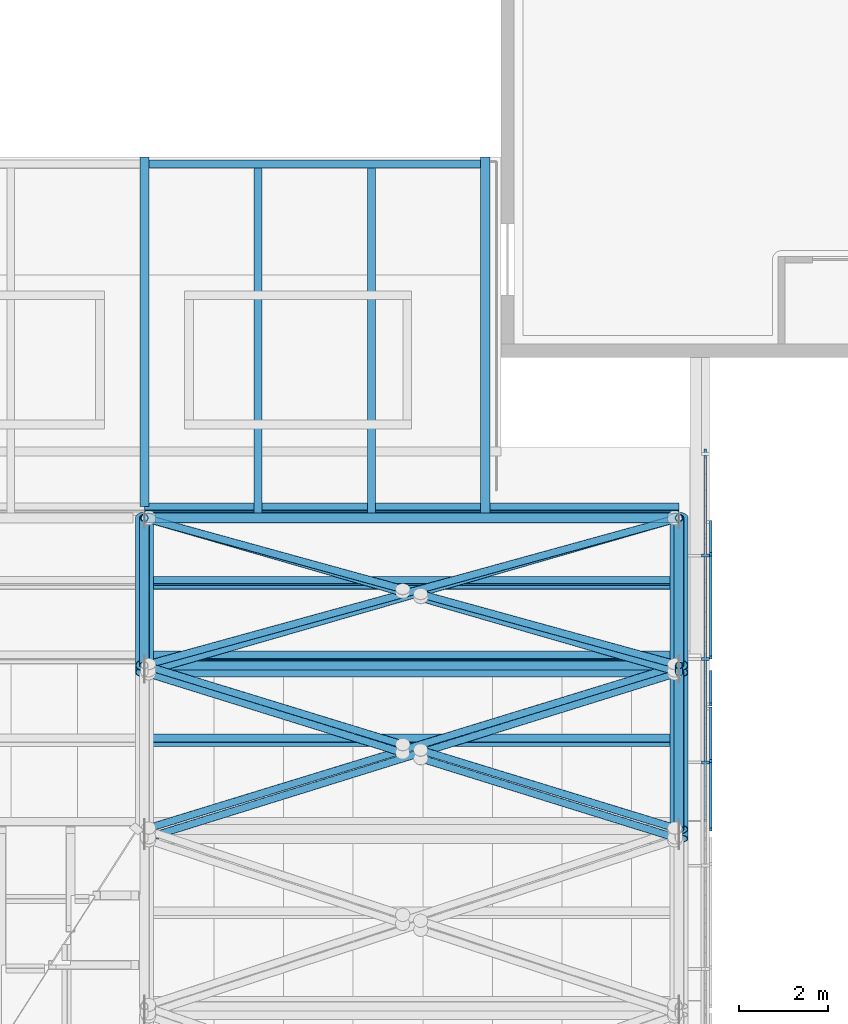
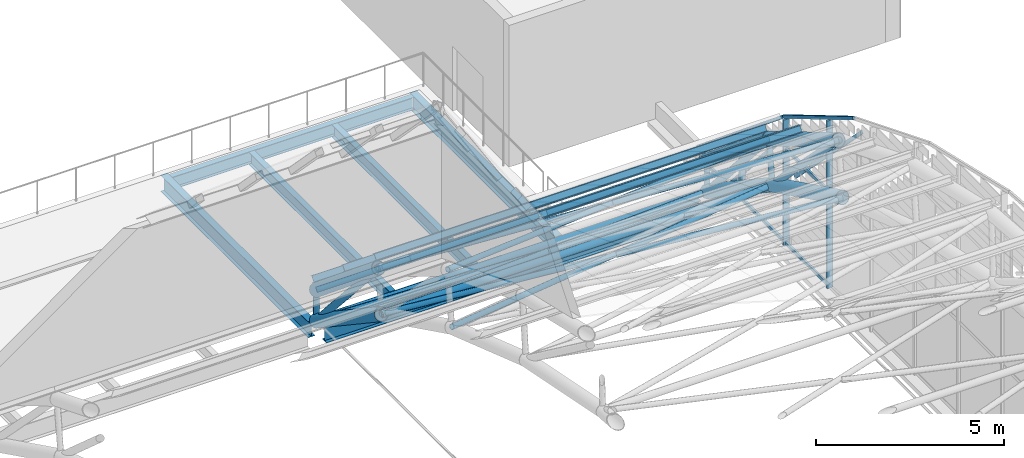
# One storey, part 42 of 110: 46 members, 6 beams, 1 element without a shape of its own.
"""IFC4 building model written with IfcOpenShell, lengths in metres."""

import ifcopenshell
import ifcopenshell.guid

model = None  # the IFC model being written
_history = None  # IfcOwnerHistory: only IFC2X3 demands one
_inside = {}  # id of a spatial element -> (the spatial element, [elements in it])
_under = {}  # id of a project, library or spatial element -> (it, [spatial elements below it])
_declared = {}  # id of a project -> (the project, [libraries it declares])
_typed = {}  # id of a type object -> (the type object, [elements of that type])
_made_of = {}  # id of a material, layer set ... -> (it, [elements and type objects made of it])


def new_model(schema):
    """Start an empty IFC model of exactly this schema.

    Asked for "IFC4X3", IfcOpenShell would pick the latest addendum, in which some entities
    have other attributes; the version numbers below select the first issue.
    IFC2X3 requires an IfcOwnerHistory on every rooted entity: one is made here for all.
    """
    global model, _history
    if schema == "IFC4X3":
        model = ifcopenshell.file(schema_version=(4, 3, 0, 0))
    else:
        model = ifcopenshell.file(schema=schema)
    _inside.clear()
    _under.clear()
    _declared.clear()
    _typed.clear()
    _made_of.clear()
    _history = None
    if model.schema == "IFC2X3":
        org = make("IfcOrganization", Name="unknown")
        user = make(
            "IfcPersonAndOrganization",
            ThePerson=make("IfcPerson", FamilyName="unknown"),
            TheOrganization=org,
        )
        app = make(
            "IfcApplication",
            ApplicationDeveloper=org,
            Version="unknown",
            ApplicationFullName="unknown",
            ApplicationIdentifier="unknown",
        )
        _history = make(
            "IfcOwnerHistory",
            OwningUser=user,
            OwningApplication=app,
            ChangeAction="ADDED",
            CreationDate=0,
        )
    return model


def make(cls, **values):
    """One entity of the class cls with the attributes given. An attribute that is None is left unset."""
    return model.create_entity(
        cls, **{name: value for name, value in values.items() if value is not None}
    )


def rooted(cls, **values):
    """An entity with a GlobalId (a new one), such as an element, a storey or a relation."""
    return make(cls, GlobalId=ifcopenshell.guid.new(), OwnerHistory=_history, **values)


def si_unit(unit_type, name, prefix=None):
    """IfcSIUnit, for example si_unit("LENGTHUNIT", "METRE", prefix="MILLI")."""
    return make("IfcSIUnit", UnitType=unit_type, Prefix=prefix, Name=name)


def assignment(units):
    """IfcUnitAssignment: the units of a project."""
    return None if units is None else make("IfcUnitAssignment", Units=units)


def point(xyz):
    """IfcCartesianPoint."""
    return None if xyz is None else make("IfcCartesianPoint", Coordinates=xyz)


def direction(xyz):
    """IfcDirection."""
    return None if xyz is None else make("IfcDirection", DirectionRatios=xyz)


def frame(location, z_axis=None, x_axis=None):
    """IfcAxis2Placement3D, a coordinate frame: its origin and axes. An axis left out is left unset."""
    return make(
        "IfcAxis2Placement3D",
        Location=point(location),
        Axis=direction(z_axis),
        RefDirection=direction(x_axis),
    )


def frame_2d(location, x_axis=None):
    """IfcAxis2Placement2D, a coordinate frame in the plane: its origin and x axis."""
    return make(
        "IfcAxis2Placement2D", Location=point(location), RefDirection=direction(x_axis)
    )


def origin():
    """The frame at (0, 0, 0) with its axes left unset."""
    return frame((0.0, 0.0, 0.0))


def origin_2d():
    """The frame at (0, 0) in the plane with its x axis left unset."""
    return frame_2d((0.0, 0.0))


def place(relative_to, where):
    """IfcLocalPlacement: puts the frame where relative to a parent placement (None: the world)."""
    return make(
        "IfcLocalPlacement", PlacementRelTo=relative_to, RelativePlacement=where
    )


def context(
    kind, dimensions, precision=None, world=None, true_north=None, identifier=None
):
    """IfcGeometricRepresentationContext, for example the 3D "Model" context."""
    return make(
        "IfcGeometricRepresentationContext",
        ContextIdentifier=identifier,
        ContextType=kind,
        CoordinateSpaceDimension=dimensions,
        Precision=precision,
        WorldCoordinateSystem=world,
        TrueNorth=true_north,
    )


def subcontext(parent, identifier, kind, view, scale=None):
    """IfcGeometricRepresentationSubContext, for example "Body" below "Model"."""
    return make(
        "IfcGeometricRepresentationSubContext",
        ContextIdentifier=identifier,
        ContextType=kind,
        ParentContext=parent,
        TargetScale=scale,
        TargetView=view,
    )


def project(units=None, contexts=None):
    """IfcProject with its units and contexts."""
    return rooted(
        "IfcProject",
        Name="project",
        RepresentationContexts=contexts,
        UnitsInContext=assignment(units),
    )


def spatial(cls, under=None, at=None, **own):
    """A site, building, storey or space (cls), placed at a placement, below another one or the project."""
    s = rooted(cls, ObjectPlacement=at, **own)
    if under is not None:
        _under.setdefault(under.id(), (under, []))[1].append(s)
    return s


def profile(cls, at=None, kind="AREA", **sizes):
    """A parametric profile (cls). Its sizes go by their IFC names, for example OverallWidth=200.0."""
    return make(cls, ProfileType=kind, Position=at, **sizes)


def rectangle(**sizes):
    """IfcRectangleProfileDef."""
    return profile("IfcRectangleProfileDef", **sizes)


def hollow_circle(**sizes):
    """IfcCircleHollowProfileDef."""
    return profile("IfcCircleHollowProfileDef", **sizes)


def i_section(**sizes):
    """IfcIShapeProfileDef."""
    return profile("IfcIShapeProfileDef", **sizes)


def extrude(swept, where, along, depth):
    """IfcExtrudedAreaSolid: the profile swept, set in the frame where, extruded along a direction by depth."""
    return make(
        "IfcExtrudedAreaSolid",
        SweptArea=swept,
        Position=where,
        ExtrudedDirection=direction(along),
        Depth=depth,
    )


def shape(context_of_items, identifier, shape_type, items):
    """IfcShapeRepresentation: the items that make up one representation, for example the "Body"."""
    return make(
        "IfcShapeRepresentation",
        ContextOfItems=context_of_items,
        RepresentationIdentifier=identifier,
        RepresentationType=shape_type,
        Items=items,
    )


def material(Name=None, Category=None):
    """IfcMaterial."""
    return make("IfcMaterial", Name=Name, Category=Category)


def layer(
    of_material, thickness, ventilated=None, Name=None, Category=None, Priority=None
):
    """IfcMaterialLayer: one layer of a wall or slab, of a material (None: an air gap)."""
    return make(
        "IfcMaterialLayer",
        Material=of_material,
        LayerThickness=thickness,
        IsVentilated=ventilated,
        Name=Name,
        Category=Category,
        Priority=Priority,
    )


def layer_set(layers, Name=None):
    """IfcMaterialLayerSet."""
    return make("IfcMaterialLayerSet", MaterialLayers=layers, LayerSetName=Name)


def material_profile(
    of_material, cross_section, Name=None, Category=None, Priority=None
):
    """IfcMaterialProfile: a cross section and its material."""
    return make(
        "IfcMaterialProfile",
        Name=Name,
        Material=of_material,
        Profile=cross_section,
        Priority=Priority,
        Category=Category,
    )


def profile_set(profiles, Name=None, composite=None):
    """IfcMaterialProfileSet."""
    return make(
        "IfcMaterialProfileSet",
        Name=Name,
        MaterialProfiles=profiles,
        CompositeProfile=composite,
    )


def made_of(thing, what):
    """Note that an element or type object is made of a material, layer set ...; save() writes the relation."""
    if what is not None:
        _made_of.setdefault(what.id(), (what, []))[1].append(thing)
    return thing


def type_object(cls, material=None, **own):
    """A type object (cls), such as IfcWallType, which elements share."""
    return made_of(rooted(cls, **own), material)


def element(
    cls,
    number,
    at=None,
    inside=None,
    cuts=None,
    type_object=None,
    material=None,
    context=None,
    identifier="Body",
    shape_type=None,
    held_by="IfcProductDefinitionShape",
    body=None,
    shapes=None,
    **own,
):
    """One element of the class cls, such as IfcWall. Its Tag is "e" and its number.

    at: its placement. inside: the storey or other place that contains it. cuts: it is an
    opening in that element (IfcRelVoidsElement). A single representation is given by context,
    identifier, shape_type and body (its items); several are given by shapes. held_by: the class
    of the entity that holds the representations. save() writes the other relations.
    """
    e = rooted(cls, Tag="e%d" % number, ObjectPlacement=at, **own)
    if body is not None:
        shapes = [shape(context, identifier, shape_type, body)]
    if shapes is not None:
        e.Representation = make(held_by, Representations=shapes)
    if inside is not None:
        _inside.setdefault(inside.id(), (inside, []))[1].append(e)
    if cuts is not None:
        rooted(
            "IfcRelVoidsElement", RelatingBuildingElement=cuts, RelatedOpeningElement=e
        )
    if type_object is not None:
        _typed.setdefault(type_object.id(), (type_object, []))[1].append(e)
    return made_of(e, material)


def aggregate(whole, parts):
    """IfcRelAggregates: a whole, such as a stair, and the parts it consists of."""
    return rooted("IfcRelAggregates", RelatingObject=whole, RelatedObjects=parts)


def save(model, path):
    """Write the relations noted so far, then the file.

    IfcRelAggregates (storeys below a building ...), IfcRelContainedInSpatialStructure (elements
    in a storey), IfcRelDefinesByType, IfcRelAssociatesMaterial and IfcRelDeclares: one each for
    every whole, place, type object, material and project.
    """
    for whole, parts in _under.values():
        aggregate(whole, parts)
    for where, things in _inside.values():
        rooted(
            "IfcRelContainedInSpatialStructure",
            RelatedElements=things,
            RelatingStructure=where,
        )
    for kind, things in _typed.values():
        rooted("IfcRelDefinesByType", RelatedObjects=things, RelatingType=kind)
    for what, things in _made_of.values():
        rooted("IfcRelAssociatesMaterial", RelatedObjects=things, RelatingMaterial=what)
    for by, libraries in _declared.values():
        rooted("IfcRelDeclares", RelatingContext=by, RelatedDefinitions=libraries)
    model.write(path)


model = new_model("IFC4")

# Units and contexts
model_context = context("Model", 3, precision=1e-05, world=origin(), true_north=direction((0.0, 1.0)))
body_context = subcontext(model_context, "Body", "Model", "MODEL_VIEW")
ifc_project = project(units=[si_unit("LENGTHUNIT", "METRE"), si_unit("AREAUNIT", "SQUARE_METRE"), si_unit("VOLUMEUNIT", "CUBIC_METRE"), si_unit("PLANEANGLEUNIT", "RADIAN"), si_unit("MASSUNIT", "GRAM", prefix="KILO")], contexts=[model_context])

# Site, building, storey
site_placement = place(None, origin())
site = spatial("IfcSite", under=ifc_project, at=site_placement, CompositionType="ELEMENT")
building_placement = place(site_placement, origin())
building = spatial("IfcBuilding", under=site, at=building_placement, Name="Windward Yard Aquatics Centre", CompositionType="ELEMENT")
storey_placement = place(building_placement, frame((0.0, 0.0, 22.60009765625)))
storey = spatial("IfcBuildingStorey", under=building, at=storey_placement, Name="L05", CompositionType="ELEMENT", Elevation=22.60009765625)

# Curtain wall, members
ifc_material_1 = material(Name="Glass and aluminium curtain wall", Category="aluminium")
ifc_layer = layer(ifc_material_1, 0.179931640625)
ifc_layer_set = layer_set([ifc_layer], Name="H gable glazing system double glazed 8+16+8")
curtain_wall_type = type_object("IfcCurtainWallType", Name="H gable glazing system double glazed 8+16+8", PredefinedType="NOTDEFINED", material=ifc_layer_set)
curtain_wall_placement = place(storey_placement, origin())
curtain_wall = element("IfcCurtainWall", 1, at=curtain_wall_placement, inside=storey, type_object=curtain_wall_type, Name="Gable glazing E", PredefinedType="NOTDEFINED")
ifc_material_2 = material(Name="Aluminium 6063-T6 anodised", Category="aluminium")
ifc_material_profile_1 = material_profile(ifc_material_2, rectangle(XDim=0.06494140625, YDim=0.179931640625, at=origin_2d()), Name="H CW mullion 65x180")
ifc_profile_set_1 = profile_set([ifc_material_profile_1], Name="Aluminium 6063-T6 anodised")
member_type_1 = type_object("IfcMemberType", Name="H CW mullion 65x180", PredefinedType="MULLION", material=ifc_profile_set_1)
member_1_placement = place(storey_placement, frame((144.590087890625, 74.91552734375, 0.0), z_axis=(0.0, 0.0, 1.0), x_axis=(0.0, 1.0, 0.0)))
member_1 = element("IfcMember", 2, at=member_1_placement, type_object=member_type_1, Name="Gable mullion 16", PredefinedType="MULLION", context=body_context, shape_type="SweptSolid", body=[
    extrude(rectangle(XDim=0.06494140625, YDim=0.179931640625, at=origin_2d()), origin(), (0.0, 0.0, 1.0), 5.436279296875),
])
member_2_placement = place(storey_placement, frame((144.590087890625, 77.234619140625, 0.0), z_axis=(0.0, 0.0, 1.0), x_axis=(0.0, 1.0, 0.0)))
member_2 = element("IfcMember", 3, at=member_2_placement, type_object=member_type_1, Name="Gable mullion 17", PredefinedType="MULLION", context=body_context, shape_type="SweptSolid", body=[
    extrude(rectangle(XDim=0.06494140625, YDim=0.179931640625, at=origin_2d()), origin(), (0.0, 0.0, 1.0), 4.061767578125),
])
member_3_placement = place(storey_placement, frame((144.590087890625, 79.553955078125, 0.0), z_axis=(0.0, 0.0, 1.0), x_axis=(0.0, 1.0, 0.0)))
member_3 = element("IfcMember", 4, at=member_3_placement, type_object=member_type_1, Name="Gable mullion 18", PredefinedType="MULLION", context=body_context, shape_type="SweptSolid", body=[
    extrude(rectangle(XDim=0.06494140625, YDim=0.179931640625, at=origin_2d()), origin(), (0.0, 0.0, 1.0), 2.167724609375),
])
ifc_material_profile_2 = material_profile(ifc_material_2, rectangle(XDim=0.06494140625, YDim=0.10009765625, at=origin_2d()), Name="H CW transom 65x100")
ifc_profile_set_2 = profile_set([ifc_material_profile_2], Name="Aluminium 6063-T6 anodised")
member_type_2 = type_object("IfcMemberType", Name="H CW transom 65x100", PredefinedType="USERDEFINED", material=ifc_profile_set_2)
member_4_placement = place(storey_placement, frame((144.590087890625, 73.60595703125, 6.289794921875), z_axis=(0.0, 0.860254982192, -0.50986406582), x_axis=(-1.0, 0.0, 0.0)))
member_4 = element("IfcMember", 5, at=member_4_placement, type_object=member_type_2, Name="Gable head rail 9", ObjectType="TRANSOM", PredefinedType="USERDEFINED", context=body_context, shape_type="SweptSolid", body=[
    extrude(rectangle(XDim=0.06494140625, YDim=0.10009765625, at=origin_2d()), origin(), (0.0, 0.0, 1.0), 4.340087890625),
])
member_5_placement = place(storey_placement, frame((144.590087890625, 77.345947265625, 4.07275390625), z_axis=(0.0, 0.772760999617, -0.634697122627), x_axis=(-1.0, 0.0, 0.0)))
member_5 = element("IfcMember", 6, at=member_5_placement, type_object=member_type_2, Name="Gable head rail 10", ObjectType="TRANSOM", PredefinedType="USERDEFINED", context=body_context, shape_type="SweptSolid", body=[
    extrude(rectangle(XDim=0.06494140625, YDim=0.10009765625, at=origin_2d()), origin(), (0.0, 0.0, 1.0), 5.907958984375),
])
member_6_placement = place(storey_placement, frame((144.590087890625, 74.947998046875, 0.0498046875), z_axis=(0.0, 1.0, 0.0), x_axis=(-1.0, 0.0, 0.0)))
member_6 = element("IfcMember", 7, at=member_6_placement, type_object=member_type_2, Name="Gable transom 16.1", ObjectType="TRANSOM", PredefinedType="USERDEFINED", context=body_context, shape_type="SweptSolid", body=[
    extrude(rectangle(XDim=0.06494140625, YDim=0.10009765625, at=origin_2d()), origin(), (0.0, 0.0, 1.0), 2.254150390625),
])
member_7_placement = place(storey_placement, frame((144.590087890625, 74.947998046875, 3.099853515625), z_axis=(0.0, 1.0, 0.0), x_axis=(-1.0, 0.0, 0.0)))
member_7 = element("IfcMember", 8, at=member_7_placement, type_object=member_type_2, Name="Gable transom 16.2", ObjectType="TRANSOM", PredefinedType="USERDEFINED", context=body_context, shape_type="SweptSolid", body=[
    extrude(rectangle(XDim=0.06494140625, YDim=0.10009765625, at=origin_2d()), origin(), (0.0, 0.0, 1.0), 2.254150390625),
])
member_8_placement = place(storey_placement, frame((144.590087890625, 77.26708984375, 0.0498046875), z_axis=(0.0, 1.0, 0.0), x_axis=(-1.0, 0.0, 0.0)))
member_8 = element("IfcMember", 9, at=member_8_placement, type_object=member_type_2, Name="Gable transom 17.1", ObjectType="TRANSOM", PredefinedType="USERDEFINED", context=body_context, shape_type="SweptSolid", body=[
    extrude(rectangle(XDim=0.06494140625, YDim=0.10009765625, at=origin_2d()), origin(), (0.0, 0.0, 1.0), 2.25439453125),
])
member_9_placement = place(storey_placement, frame((144.590087890625, 79.58642578125, 0.0498046875), z_axis=(0.0, 1.0, 0.0), x_axis=(-1.0, 0.0, 0.0)))
member_9 = element("IfcMember", 10, at=member_9_placement, type_object=member_type_2, Name="Gable transom 18.1", ObjectType="TRANSOM", PredefinedType="USERDEFINED", context=body_context, shape_type="SweptSolid", body=[
    extrude(rectangle(XDim=0.06494140625, YDim=0.10009765625, at=origin_2d()), origin(), (0.0, 0.0, 1.0), 2.2216796875),
])
member_10_placement = place(storey_placement, frame((144.71240234375, 73.40966796875, 5.900390625), z_axis=(0.0, 0.701562472917, -0.712607954344), x_axis=(-1.0, 0.0, 0.0)))
member_10 = element("IfcMember", 11, at=member_10_placement, type_object=member_type_2, Name="Gable cover strip 9.1", ObjectType="COVER STRIP", PredefinedType="USERDEFINED", context=body_context, shape_type="SweptSolid", body=[
    extrude(rectangle(XDim=0.06494140625, YDim=0.10009765625, at=origin_2d()), origin(), (0.0, 0.0, 1.0), 2.099853515625),
])
member_11_placement = place(storey_placement, frame((144.71240234375, 74.947998046875, 4.338134765625), z_axis=(0.0, 0.701595103433, -0.712575828132), x_axis=(-1.0, 0.0, 0.0)))
member_11 = element("IfcMember", 12, at=member_11_placement, type_object=member_type_2, Name="Gable cover strip 9.2", ObjectType="COVER STRIP", PredefinedType="USERDEFINED", context=body_context, shape_type="SweptSolid", body=[
    extrude(rectangle(XDim=0.06494140625, YDim=0.10009765625, at=origin_2d()), origin(), (0.0, 0.0, 1.0), 1.66748046875),
])
member_12_placement = place(storey_placement, frame((144.71240234375, 76.21630859375, 3.0498046875), z_axis=(0.0, 0.701606113991, -0.712564987079), x_axis=(-1.0, 0.0, 0.0)))
member_12 = element("IfcMember", 13, at=member_12_placement, type_object=member_type_2, Name="Gable cover strip 9.3", ObjectType="COVER STRIP", PredefinedType="USERDEFINED", context=body_context, shape_type="SweptSolid", body=[
    extrude(rectangle(XDim=0.06494140625, YDim=0.10009765625, at=origin_2d()), origin(), (0.0, 0.0, 1.0), 1.02490234375),
])
member_13_placement = place(storey_placement, frame((144.71240234375, 77.26708984375, 3.521484375), z_axis=(0.0, 0.664694400873, -0.747115354847), x_axis=(-1.0, 0.0, 0.0)))
member_13 = element("IfcMember", 14, at=member_13_placement, type_object=member_type_2, Name="Gable cover strip 10.2", ObjectType="COVER STRIP", PredefinedType="USERDEFINED", context=body_context, shape_type="SweptSolid", body=[
    extrude(rectangle(XDim=0.06494140625, YDim=0.10009765625, at=origin_2d()), origin(), (0.0, 0.0, 1.0), 3.3916015625),
])
member_14_placement = place(storey_placement, frame((144.71240234375, 79.58642578125, 0.91455078125), z_axis=(0.0, 0.664586182346, -0.747211620784), x_axis=(-1.0, 0.0, 0.0)))
member_14 = element("IfcMember", 15, at=member_14_placement, type_object=member_type_2, Name="Gable cover strip 10.3", ObjectType="COVER STRIP", PredefinedType="USERDEFINED", context=body_context, shape_type="SweptSolid", body=[
    extrude(rectangle(XDim=0.06494140625, YDim=0.10009765625, at=origin_2d()), origin(), (0.0, 0.0, 1.0), 1.09033203125),
])
aggregate(curtain_wall, [member_1, member_2, member_3, member_4, member_5, member_6, member_7, member_8, member_9, member_10, member_11, member_12, member_13, member_14])

# Members
ifc_material_3 = material(Name="Steel ASTM A500 Gr C", Category="steel")
ifc_material_profile_3 = material_profile(ifc_material_3, hollow_circle(Radius=0.084228515625, WallThickness=0.010986328125, at=origin_2d()), Name="HSS168.3X11")
ifc_profile_set_3 = profile_set([ifc_material_profile_3], Name="Steel ASTM A500 Gr C")
member_type_3 = type_object("IfcMemberType", Name="H arch post HSS168.3X11", PredefinedType="POST", material=ifc_profile_set_3)
member_15_placement = place(storey_placement, frame((132.0, 80.39990234375, 0.0), z_axis=(0.0, 0.0, 1.0), x_axis=(1.0, 0.0, 0.0)))
element("IfcMember", 16, at=member_15_placement, inside=storey, type_object=member_type_3, Name="H.AT.7.WP11", PredefinedType="POST", context=body_context, shape_type="SweptSolid", body=[
    extrude(hollow_circle(Radius=0.084228515625, WallThickness=0.010986328125, at=origin_2d()), origin(), (0.0, 0.0, 1.0), 1.0),
])
member_16_placement = place(storey_placement, frame((144.0, 76.935302734375, 2.319580078125), z_axis=(0.0, 0.111745510026, 0.993736857015), x_axis=(-1.0, 0.0, 0.0)))
element("IfcMember", 17, at=member_16_placement, inside=storey, type_object=member_type_3, Name="H.AT.8.WP10", PredefinedType="POST", context=body_context, shape_type="SweptSolid", body=[
    extrude(hollow_circle(Radius=0.084228515625, WallThickness=0.010986328125, at=origin_2d()), origin(), (0.0, 0.0, 1.0), 1.406982421875),
])
member_17_placement = place(storey_placement, frame((144.0, 80.39990234375, 0.0), z_axis=(0.0, 0.0, 1.0), x_axis=(1.0, 0.0, 0.0)))
element("IfcMember", 18, at=member_17_placement, inside=storey, type_object=member_type_3, Name="H.AT.8.WP11", PredefinedType="POST", context=body_context, shape_type="SweptSolid", body=[
    extrude(hollow_circle(Radius=0.084228515625, WallThickness=0.010986328125, at=origin_2d()), origin(), (0.0, 0.0, 1.0), 1.0),
])
ifc_material_profile_4 = material_profile(ifc_material_3, hollow_circle(Radius=0.203125, WallThickness=0.015869140625, at=origin_2d()), Name="HSS406.4X15.9")
ifc_profile_set_4 = profile_set([ifc_material_profile_4], Name="Steel ASTM A500 Gr C")
member_type_4 = type_object("IfcMemberType", Name="H arch top chord HSS406.4X15.9", PredefinedType="CHORD", material=ifc_profile_set_4)
member_18_placement = place(storey_placement, frame((132.0, 77.092529296875, 3.7177734375), z_axis=(0.0, 0.772611352747, -0.634879277979), x_axis=(-1.0, 0.0, 0.0)))
element("IfcMember", 19, at=member_18_placement, inside=storey, type_object=member_type_4, Name="H.AT.7.TC10", PredefinedType="CHORD", context=body_context, shape_type="SweptSolid", body=[
    extrude(hollow_circle(Radius=0.203125, WallThickness=0.015869140625, at=origin_2d()), origin(), (0.0, 0.0, 1.0), 4.28076171875),
])
member_19_placement = place(storey_placement, frame((132.0, 76.935302734375, 2.319580078125), z_axis=(0.0, 0.83095865789, -0.556334170151), x_axis=(-1.0, 0.0, 0.0)))
element("IfcMember", 20, at=member_19_placement, inside=storey, type_object=member_type_4, Name="H.AT.7.BC10", PredefinedType="CHORD", context=body_context, shape_type="SweptSolid", body=[
    extrude(hollow_circle(Radius=0.203125, WallThickness=0.015869140625, at=origin_2d()), origin(), (0.0, 0.0, 1.0), 4.16943359375),
])
member_20_placement = place(storey_placement, frame((144.0, 73.40966796875, 5.900390625), z_axis=(0.0, 0.860273006082, -0.509833654251), x_axis=(-1.0, 0.0, 0.0)))
element("IfcMember", 21, at=member_20_placement, inside=storey, type_object=member_type_4, Name="H.AT.8.TC09", PredefinedType="CHORD", context=body_context, shape_type="SweptSolid", body=[
    extrude(hollow_circle(Radius=0.203125, WallThickness=0.015869140625, at=origin_2d()), origin(), (0.0, 0.0, 1.0), 4.281005859375),
])
member_21_placement = place(storey_placement, frame((144.0, 73.197265625, 4.16650390625), z_axis=(0.0, 0.896536837976, -0.4429691842), x_axis=(-1.0, 0.0, 0.0)))
element("IfcMember", 22, at=member_21_placement, inside=storey, type_object=member_type_4, Name="H.AT.8.BC09", PredefinedType="CHORD", context=body_context, shape_type="SweptSolid", body=[
    extrude(hollow_circle(Radius=0.203125, WallThickness=0.015869140625, at=origin_2d()), origin(), (0.0, 0.0, 1.0), 4.16943359375),
])
member_22_placement = place(storey_placement, frame((144.0, 77.092529296875, 3.7177734375), z_axis=(0.0, 0.772611352747, -0.634879277979), x_axis=(-1.0, 0.0, 0.0)))
element("IfcMember", 23, at=member_22_placement, inside=storey, type_object=member_type_4, Name="H.AT.8.TC10", PredefinedType="CHORD", context=body_context, shape_type="SweptSolid", body=[
    extrude(hollow_circle(Radius=0.203125, WallThickness=0.015869140625, at=origin_2d()), origin(), (0.0, 0.0, 1.0), 4.28076171875),
])
member_23_placement = place(storey_placement, frame((144.0, 76.935302734375, 2.319580078125), z_axis=(0.0, 0.83095865789, -0.556334170151), x_axis=(-1.0, 0.0, 0.0)))
element("IfcMember", 24, at=member_23_placement, inside=storey, type_object=member_type_4, Name="H.AT.8.BC10", PredefinedType="CHORD", context=body_context, shape_type="SweptSolid", body=[
    extrude(hollow_circle(Radius=0.203125, WallThickness=0.015869140625, at=origin_2d()), origin(), (0.0, 0.0, 1.0), 4.16943359375),
])
ifc_material_profile_5 = material_profile(ifc_material_3, hollow_circle(Radius=0.109619140625, WallThickness=0.00830078125, at=origin_2d()), Name="HSS219.1X8.2")
ifc_profile_set_5 = profile_set([ifc_material_profile_5], Name="Steel ASTM A500 Gr C")
member_type_5 = type_object("IfcMemberType", Name="H arch web diagonal HSS219.1X8.2", PredefinedType="BRACE", material=ifc_profile_set_5)
member_24_placement = place(storey_placement, frame((132.0, 77.092529296875, 3.7177734375), z_axis=(0.0, 0.664665272452, -0.747141268835), x_axis=(-1.0, 0.0, 0.0)))
element("IfcMember", 25, at=member_24_placement, inside=storey, type_object=member_type_5, Name="H.AT.7.WD10", PredefinedType="BRACE", context=body_context, shape_type="SweptSolid", body=[
    extrude(hollow_circle(Radius=0.109619140625, WallThickness=0.00830078125, at=origin_2d()), origin(), (0.0, 0.0, 1.0), 4.97607421875),
])
member_25_placement = place(storey_placement, frame((144.0, 73.40966796875, 5.900390625), z_axis=(0.0, 0.701595524129, -0.712575413919), x_axis=(-1.0, 0.0, 0.0)))
element("IfcMember", 26, at=member_25_placement, inside=storey, type_object=member_type_5, Name="H.AT.8.WD09", PredefinedType="BRACE", context=body_context, shape_type="SweptSolid", body=[
    extrude(hollow_circle(Radius=0.109619140625, WallThickness=0.00830078125, at=origin_2d()), origin(), (0.0, 0.0, 1.0), 5.025146484375),
])
member_26_placement = place(storey_placement, frame((144.0, 77.092529296875, 3.7177734375), z_axis=(0.0, 0.664665272452, -0.747141268835), x_axis=(-1.0, 0.0, 0.0)))
element("IfcMember", 27, at=member_26_placement, inside=storey, type_object=member_type_5, Name="H.AT.8.WD10", PredefinedType="BRACE", context=body_context, shape_type="SweptSolid", body=[
    extrude(hollow_circle(Radius=0.109619140625, WallThickness=0.00830078125, at=origin_2d()), origin(), (0.0, 0.0, 1.0), 4.97607421875),
])

# Beam
ifc_material_4 = material(Name="Steel ASTM A992 Gr 50", Category="steel")
ifc_material_profile_6 = material_profile(ifc_material_4, i_section(OverallWidth=0.22802734375, OverallDepth=0.60205078125, WebThickness=0.010498046875, FlangeThickness=0.014892578125, at=origin_2d()), Name="W610X101")
ifc_profile_set_6 = profile_set([ifc_material_profile_6], Name="Steel ASTM A992 Gr 50")
beam_type_1 = type_object("IfcBeamType", Name="H eave girder W610X101", PredefinedType="BEAM", material=ifc_profile_set_6)
beam_1_placement = place(storey_placement, frame((132.25390625, 80.39990234375, -0.451171875), z_axis=(1.0, 0.0, 0.0), x_axis=(0.0, 1.0, 0.0)))
element("IfcBeam", 28, at=beam_1_placement, inside=storey, type_object=beam_type_1, Name="H.EG.N7", PredefinedType="BEAM", context=body_context, shape_type="SweptSolid", body=[
    extrude(i_section(OverallWidth=0.22802734375, OverallDepth=0.60205078125, WebThickness=0.010498046875, FlangeThickness=0.014892578125, at=origin_2d()), origin(), (0.0, 0.0, 1.0), 11.4921875),
])

# Members
ifc_material_profile_7 = material_profile(ifc_material_3, hollow_circle(Radius=0.084228515625, WallThickness=0.007080078125, at=origin_2d()), Name="HSS168.3X7.1")
ifc_profile_set_7 = profile_set([ifc_material_profile_7], Name="Steel ASTM A500 Gr C")
member_type_6 = type_object("IfcMemberType", Name="H roof brace HSS168.3X7.1", PredefinedType="BRACE", material=ifc_profile_set_7)
member_27_placement = place(storey_placement, frame((132.0, 73.40966796875, 5.900390625), z_axis=(0.941858113102, 0.289061068444, -0.171309642154), x_axis=(-0.293398305701, 0.955990289811, 0.0)))
element("IfcMember", 29, at=member_27_placement, inside=storey, type_object=member_type_6, Name="H.RB.7.T09A", PredefinedType="BRACE", context=body_context, shape_type="SweptSolid", body=[
    extrude(hollow_circle(Radius=0.084228515625, WallThickness=0.007080078125, at=origin_2d()), origin(), (0.0, 0.0, 1.0), 12.74072265625),
])
for number, where, z_axis, x_axis, name in (
    (30, (132.0, 77.092529296875, 3.7177734375), (0.941852913736, -0.28907159229, 0.171320469934), (0.293409548172, 0.955986839366, 0.0), "H.RB.7.T09B1"),
    (31, (138.1064453125, 75.218505859375, 4.828369140625), (0.941852913736, -0.28907159229, 0.171320469934), (0.293409548172, 0.955986839366, 0.0), "H.RB.7.T09B2"),
):
    element("IfcMember", number, at=place(storey_placement, frame(where, z_axis=z_axis, x_axis=x_axis)), inside=storey, type_object=member_type_6, Name=name, PredefinedType="BRACE", context=body_context, shape_type="SweptSolid", body=[
        extrude(hollow_circle(Radius=0.084228515625, WallThickness=0.007080078125, at=origin_2d()), origin(), (0.0, 0.0, 1.0), 6.25732421875),
    ])
member_28_placement = place(storey_placement, frame((132.0, 77.092529296875, 3.7177734375), z_axis=(0.941864717314, 0.259591498321, -0.21331457587), x_axis=(-0.265707128431, 0.964053796165, 0.0)))
element("IfcMember", 32, at=member_28_placement, inside=storey, type_object=member_type_6, Name="H.RB.7.T10A", PredefinedType="BRACE", context=body_context, shape_type="SweptSolid", body=[
    extrude(hollow_circle(Radius=0.084228515625, WallThickness=0.007080078125, at=origin_2d()), origin(), (0.0, 0.0, 1.0), 12.74072265625),
])
for number, where, z_axis, x_axis, name in (
    (33, (132.0, 80.39990234375, 1.0), (0.941869878375, -0.259579962752, 0.213305825397), (0.265694801521, 0.964057193555, 0.0), "H.RB.7.T10B1"),
    (34, (138.1064453125, 78.716796875, 2.383056640625), (0.941869878375, -0.259579962752, 0.213305825397), (0.265694801521, 0.964057193555, 0.0), "H.RB.7.T10B2"),
):
    element("IfcMember", number, at=place(storey_placement, frame(where, z_axis=z_axis, x_axis=x_axis)), inside=storey, type_object=member_type_6, Name=name, PredefinedType="BRACE", context=body_context, shape_type="SweptSolid", body=[
        extrude(hollow_circle(Radius=0.084228515625, WallThickness=0.007080078125, at=origin_2d()), origin(), (0.0, 0.0, 1.0), 6.25732421875),
    ])
member_29_placement = place(storey_placement, frame((132.0, 73.197265625, 4.16650390625), z_axis=(0.944606527351, 0.294247854416, -0.145384691964), x_axis=(-0.297407751548, 0.95475055869, 0.0)))
element("IfcMember", 35, at=member_29_placement, inside=storey, type_object=member_type_6, Name="H.RB.7.B09A", PredefinedType="BRACE", context=body_context, shape_type="SweptSolid", body=[
    extrude(hollow_circle(Radius=0.084228515625, WallThickness=0.007080078125, at=origin_2d()), origin(), (0.0, 0.0, 1.0), 12.70361328125),
])
for number, where, z_axis, x_axis, name in (
    (36, (132.0, 76.935302734375, 2.319580078125), (0.944603517072, -0.294249006727, 0.145401917374), (0.297409677169, 0.954749958851, 0.0), "H.RB.7.B09B1"),
    (37, (138.109375, 75.0322265625, 3.260009765625), (0.944608893491, -0.29425068151, 0.145363595057), (0.297409677169, 0.954749958851, 0.0), "H.RB.7.B09B2"),
):
    element("IfcMember", number, at=place(storey_placement, frame(where, z_axis=z_axis, x_axis=x_axis)), inside=storey, type_object=member_type_6, Name=name, PredefinedType="BRACE", context=body_context, shape_type="SweptSolid", body=[
        extrude(hollow_circle(Radius=0.084228515625, WallThickness=0.007080078125, at=origin_2d()), origin(), (0.0, 0.0, 1.0), 6.236083984375),
    ])
member_30_placement = place(storey_placement, frame((132.0, 76.935302734375, 2.319580078125), z_axis=(0.944606957166, 0.272723741234, -0.182590956625), x_axis=(-0.277386901916, 0.960758297724, 0.0)))
element("IfcMember", 38, at=member_30_placement, inside=storey, type_object=member_type_6, Name="H.RB.7.B10A", PredefinedType="BRACE", context=body_context, shape_type="SweptSolid", body=[
    extrude(hollow_circle(Radius=0.084228515625, WallThickness=0.007080078125, at=origin_2d()), origin(), (0.0, 0.0, 1.0), 12.70361328125),
])
for number, where, z_axis, x_axis, name in (
    (39, (132.0, 80.39990234375, 0.0), (0.944607860476, -0.272717935845, 0.182594954462), (0.27738120673, 0.960759942001, 0.0), "H.RB.7.B10B1"),
    (40, (138.109375, 78.63623046875, 1.180908203125), (0.944597774459, -0.272754173353, 0.182593004811), (0.277417961706, 0.960749329702, 0.0), "H.RB.7.B10B2"),
):
    element("IfcMember", number, at=place(storey_placement, frame(where, z_axis=z_axis, x_axis=x_axis)), inside=storey, type_object=member_type_6, Name=name, PredefinedType="BRACE", context=body_context, shape_type="SweptSolid", body=[
        extrude(hollow_circle(Radius=0.084228515625, WallThickness=0.007080078125, at=origin_2d()), origin(), (0.0, 0.0, 1.0), 6.236083984375),
    ])
ifc_material_profile_8 = material_profile(ifc_material_4, i_section(OverallWidth=0.202880859375, OverallDepth=0.202880859375, WebThickness=0.00732421875, FlangeThickness=0.010986328125, at=origin_2d()), Name="W200X46.1")
ifc_profile_set_8 = profile_set([ifc_material_profile_8], Name="Steel ASTM A992 Gr 50")
member_type_7 = type_object("IfcMemberType", Name="H roof purlin W200X46.1", PredefinedType="PURLIN", material=ifc_profile_set_8)
for number, where, z_axis, x_axis, name in (
    (41, (132.0, 75.406494140625, 5.0712890625), (1.0, 0.0, 0.0), (0.0, 0.860270260664, -0.509838286732), "H.PU.7.18"),
    (42, (132.0, 77.267333984375, 3.96728515625), (1.0, 0.0, 0.0), (0.0, 0.818830898872, -0.574034806481), "H.PU.7.19"),
    (43, (132.0, 78.939697265625, 2.59423828125), (1.0, 0.0, 0.0), (0.0, 0.772610863417, -0.634879873464), "H.PU.7.20"),
    (44, (132.0, 80.593505859375, 1.2353515625), (1.0, 0.0, 0.0), (0.0, 0.772610863417, -0.634879873464), "H.PU.7.21"),
):
    element("IfcMember", number, at=place(storey_placement, frame(where, z_axis=z_axis, x_axis=x_axis)), inside=storey, type_object=member_type_7, Name=name, PredefinedType="PURLIN", context=body_context, shape_type="SweptSolid", body=[
        extrude(i_section(OverallWidth=0.202880859375, OverallDepth=0.202880859375, WebThickness=0.00732421875, FlangeThickness=0.010986328125, at=origin_2d()), origin(), (0.0, 0.0, 1.0), 12.0),
    ])
ifc_material_profile_9 = material_profile(ifc_material_3, hollow_circle(Radius=0.109619140625, WallThickness=0.00830078125, at=origin_2d()), Name="HSS219.1X8.2")
ifc_profile_set_9 = profile_set([ifc_material_profile_9], Name="Steel ASTM A500 Gr C")
member_type_8 = type_object("IfcMemberType", Name="H roof strut HSS219.1X8.2", PredefinedType="STRUT", material=ifc_profile_set_9)
for number, where, z_axis, x_axis, name in (
    (45, (132.0, 77.092529296875, 3.7177734375), (1.0, 0.0, 0.0), (0.0, 1.0, 0.0), "H.RS.7.T10"),
    (46, (132.0, 80.39990234375, 1.0), (1.0, 0.0, 0.0), (0.0, 1.0, 0.0), "H.RS.7.T11"),
    (47, (132.0, 76.935302734375, 2.319580078125), (1.0, 0.0, 0.0), (0.0, 1.0, 0.0), "H.RS.7.B10"),
    (48, (132.0, 80.39990234375, 0.0), (1.0, 0.0, 0.0), (0.0, 1.0, 0.0), "H.RS.7.B11"),
):
    element("IfcMember", number, at=place(storey_placement, frame(where, z_axis=z_axis, x_axis=x_axis)), inside=storey, type_object=member_type_8, Name=name, PredefinedType="STRUT", context=body_context, shape_type="SweptSolid", body=[
        extrude(hollow_circle(Radius=0.109619140625, WallThickness=0.00830078125, at=origin_2d()), origin(), (0.0, 0.0, 1.0), 12.0),
    ])

# Beams
ifc_material_profile_10 = material_profile(ifc_material_4, i_section(OverallWidth=0.208984375, OverallDepth=0.528076171875, WebThickness=0.009521484375, FlangeThickness=0.01318359375, at=origin_2d()), Name="W530X82")
ifc_profile_set_10 = profile_set([ifc_material_profile_10], Name="Steel ASTM A992 Gr 50")
beam_type_2 = type_object("IfcBeamType", Name="H terrace primary beam W530X82", PredefinedType="BEAM", material=ifc_profile_set_10)
beam_2_placement = place(storey_placement, frame((132.0, 88.5, -0.4140625), z_axis=(0.0, -1.0, 0.0), x_axis=(1.0, 0.0, 0.0)))
element("IfcBeam", 49, at=beam_2_placement, inside=storey, type_object=beam_type_2, Name="H.T2B.N7", PredefinedType="BEAM", context=body_context, shape_type="SweptSolid", body=[
    extrude(i_section(OverallWidth=0.208984375, OverallDepth=0.528076171875, WebThickness=0.009521484375, FlangeThickness=0.01318359375, at=origin_2d()), origin(), (0.0, 0.0, 1.0), 7.845947265625),
])
beam_3_placement = place(storey_placement, frame((139.64990234375, 88.5, -0.4140625), z_axis=(0.0, -1.0, 0.0), x_axis=(1.0, 0.0, 0.0)))
element("IfcBeam", 50, at=beam_3_placement, inside=storey, type_object=beam_type_2, Name="H.T2B.N8", PredefinedType="BEAM", context=body_context, shape_type="SweptSolid", body=[
    extrude(i_section(OverallWidth=0.208984375, OverallDepth=0.528076171875, WebThickness=0.009521484375, FlangeThickness=0.01318359375, at=origin_2d()), origin(), (0.0, 0.0, 1.0), 7.986083984375),
])
ifc_material_profile_11 = material_profile(ifc_material_4, i_section(OverallWidth=0.177978515625, OverallDepth=0.406005859375, WebThickness=0.0078125, FlangeThickness=0.0126953125, at=origin_2d()), Name="W410X60")
ifc_profile_set_11 = profile_set([ifc_material_profile_11], Name="Steel ASTM A992 Gr 50")
beam_type_3 = type_object("IfcBeamType", Name="H terrace secondary beam W410X60", PredefinedType="BEAM", material=ifc_profile_set_11)
beam_4_placement = place(storey_placement, frame((132.1044921875, 88.34228515625, -0.35302734375), z_axis=(1.0, 0.0, 0.0), x_axis=(0.0, 1.0, 0.0)))
element("IfcBeam", 51, at=beam_4_placement, inside=storey, type_object=beam_type_3, Name="H.T2E.N7", PredefinedType="BEAM", context=body_context, shape_type="SweptSolid", body=[
    extrude(i_section(OverallWidth=0.177978515625, OverallDepth=0.406005859375, WebThickness=0.0078125, FlangeThickness=0.0126953125, at=origin_2d()), origin(), (0.0, 0.0, 1.0), 7.44091796875),
])
for number, where, z_axis, x_axis, name in (
    (52, (134.550048828125, 88.25341796875, -0.35302734375), (0.0, -1.0, 0.0), (1.0, 0.0, 0.0), "H.T2S.N7.1"),
    (53, (137.10009765625, 88.25341796875, -0.35302734375), (0.0, -1.0, 0.0), (1.0, 0.0, 0.0), "H.T2S.N7.2"),
):
    element("IfcBeam", number, at=place(storey_placement, frame(where, z_axis=z_axis, x_axis=x_axis)), inside=storey, type_object=beam_type_3, Name=name, PredefinedType="BEAM", context=body_context, shape_type="SweptSolid", body=[
        extrude(i_section(OverallWidth=0.177978515625, OverallDepth=0.406005859375, WebThickness=0.0078125, FlangeThickness=0.0126953125, at=origin_2d()), origin(), (0.0, 0.0, 1.0), 7.739501953125),
    ])

save(model, "model.ifc")
